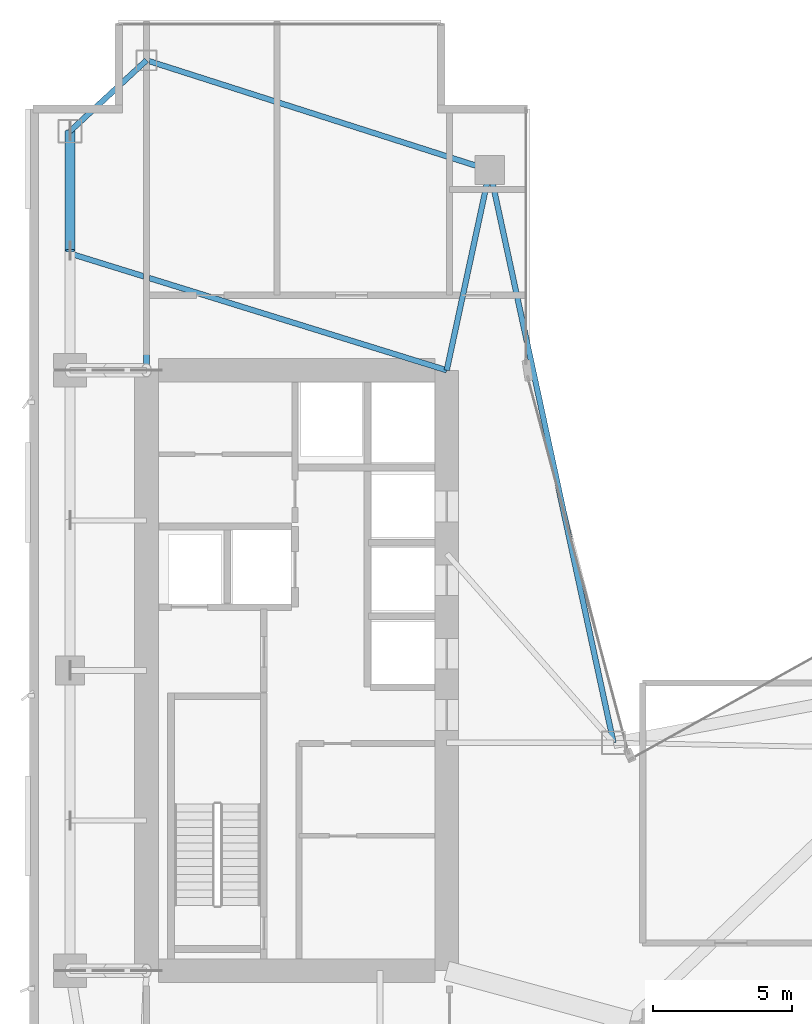
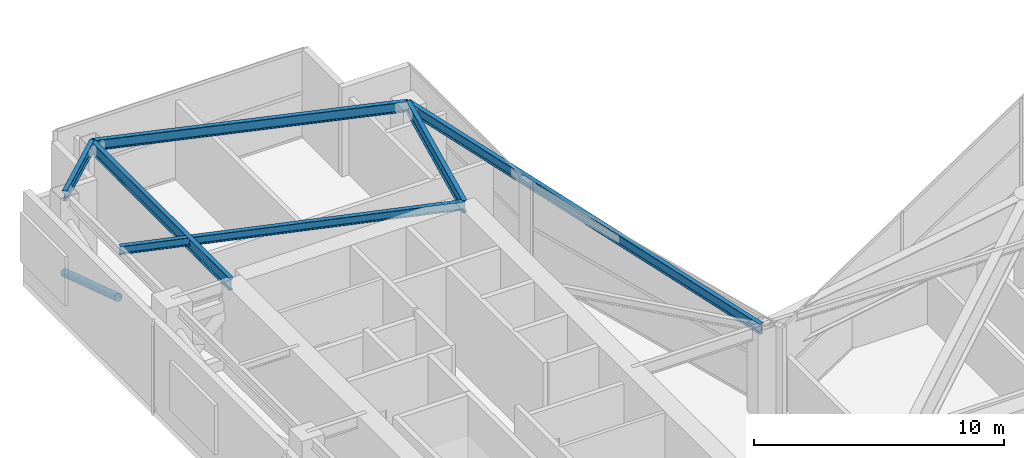
# One storey, part 5 of 17: 6 beams, 1 member.
"""IFC4 building model written with IfcOpenShell, lengths in metres."""

from ifc_helpers import new_model, si_unit, direction, frame, origin, origin_2d, place, context, subcontext, project, spatial, hollow_circle, i_section, extrude, material, material_profile, profile_set, type_object, element, save


model = new_model("IFC4")

# Units and contexts
model_context = context("Model", 3, precision=1e-05, world=origin(), true_north=direction((0.0, 1.0)))
body_context = subcontext(model_context, "Body", "Model", "MODEL_VIEW")
ifc_project = project(units=[si_unit("LENGTHUNIT", "METRE"), si_unit("AREAUNIT", "SQUARE_METRE"), si_unit("VOLUMEUNIT", "CUBIC_METRE"), si_unit("PLANEANGLEUNIT", "RADIAN"), si_unit("MASSUNIT", "GRAM", prefix="KILO")], contexts=[model_context])

# Site, building, storey
site_placement = place(None, origin())
site = spatial("IfcSite", under=ifc_project, at=site_placement, CompositionType="ELEMENT")
building_placement = place(site_placement, origin())
building = spatial("IfcBuilding", under=site, at=building_placement, Name="Calvorn Quay Hotel", CompositionType="ELEMENT")
storey_placement = place(building_placement, frame((0.0, 0.0, 186.5)))
storey = spatial("IfcBuildingStorey", under=building, at=storey_placement, Name="L46", CompositionType="ELEMENT", Elevation=186.5)

# Beams
ifc_material_1 = material(Name="Steel Q355B", Category="steel")
ifc_material_profile_1 = material_profile(ifc_material_1, i_section(OverallWidth=0.199951171875, OverallDepth=0.60009765625, WebThickness=0.010986328125, FlangeThickness=0.01708984375, FilletRadius=0.01806640625, at=origin_2d()), Name="HN600x200x11x17")
ifc_profile_set_1 = profile_set([ifc_material_profile_1], Name="Steel Q355B")
beam_type_1 = type_object("IfcBeamType", Name="BM-GIRD-TYP", PredefinedType="BEAM", material=ifc_profile_set_1)
beam_1_placement = place(storey_placement, frame((4.199951171875, 49.550048828125, 4.050048828125), z_axis=(0.0, -1.0, 0.0), x_axis=(1.0, 0.0, 0.0)))
element("IfcBeam", 1, at=beam_1_placement, inside=storey, type_object=beam_type_1, Name="Beam BG-L46-W5", PredefinedType="BEAM", context=body_context, shape_type="SweptSolid", body=[
    extrude(i_section(OverallWidth=0.199951171875, OverallDepth=0.60009765625, WebThickness=0.010986328125, FlangeThickness=0.01708984375, FilletRadius=0.01806640625, at=origin_2d()), origin(), (0.0, 0.0, 1.0), 11.150146484375),
])
beam_2_placement = place(storey_placement, frame((16.550048828125, 45.60009765625, 4.050048828125), z_axis=(-0.210457140491, -0.97760308511, 0.0), x_axis=(0.97760308511, -0.210457140491, 0.0)))
element("IfcBeam", 2, at=beam_2_placement, inside=storey, type_object=beam_type_1, Name="Beam BG-L46-W6", PredefinedType="BEAM", context=body_context, shape_type="SweptSolid", body=[
    extrude(i_section(OverallWidth=0.199951171875, OverallDepth=0.60009765625, WebThickness=0.010986328125, FlangeThickness=0.01708984375, FilletRadius=0.01806640625, at=origin_2d()), origin(), (0.0, 0.0, 1.0), 7.365234375),
])
ifc_material_2 = material(Name="Steel Q355B", Category="steel")
ifc_material_profile_2 = material_profile(ifc_material_2, i_section(OverallWidth=0.199951171875, OverallDepth=0.39990234375, WebThickness=0.008056640625, FlangeThickness=0.012939453125, FilletRadius=0.01611328125, at=origin_2d()), Name="HN400x200x8x13")
ifc_profile_set_2 = profile_set([ifc_material_profile_2], Name="Steel Q355B")
beam_type_2 = type_object("IfcBeamType", Name="BM-JOIST-TYP", PredefinedType="JOIST", material=ifc_profile_set_2)
beam_3_placement = place(storey_placement, frame((1.449951171875, 42.60009765625, 4.14990234375), z_axis=(0.955163702122, -0.296078202759, 0.0), x_axis=(0.296078202759, 0.955163702122, 0.0)))
element("IfcBeam", 3, at=beam_3_placement, inside=storey, type_object=beam_type_2, Name="Beam BJ-L46-W2", PredefinedType="JOIST", context=body_context, shape_type="SweptSolid", body=[
    extrude(i_section(OverallWidth=0.199951171875, OverallDepth=0.39990234375, WebThickness=0.008056640625, FlangeThickness=0.012939453125, FilletRadius=0.01611328125, at=origin_2d()), origin(), (0.0, 0.0, 1.0), 14.18603515625),
])
ifc_material_3 = material(Name="Steel Q355B", Category="steel")
ifc_material_profile_3 = material_profile(ifc_material_3, i_section(OverallWidth=0.199951171875, OverallDepth=0.5, WebThickness=0.010009765625, FlangeThickness=0.01611328125, FilletRadius=0.01611328125, at=origin_2d()), Name="HN500x200x10x16")
ifc_profile_set_3 = profile_set([ifc_material_profile_3], Name="Steel Q355B")
beam_type_3 = type_object("IfcBeamType", Name="BM-SPANDREL-Z1", PredefinedType="SPANDREL", material=ifc_profile_set_3)
beam_4_placement = place(storey_placement, frame((1.449951171875, 47.0, 4.10009765625), z_axis=(0.733261665538, 0.679946563969, 0.0), x_axis=(-0.679946563969, 0.733261665538, 0.0)))
element("IfcBeam", 4, at=beam_4_placement, inside=storey, type_object=beam_type_3, Name="Beam BSP-L46-W5", PredefinedType="SPANDREL", context=body_context, shape_type="SweptSolid", body=[
    extrude(i_section(OverallWidth=0.199951171875, OverallDepth=0.5, WebThickness=0.010009765625, FlangeThickness=0.01611328125, FilletRadius=0.01611328125, at=origin_2d()), origin(), (0.0, 0.0, 1.0), 3.75048828125),
])
beam_5_placement = place(storey_placement, frame((4.199951171875, 49.550048828125, 4.10009765625), z_axis=(0.952470702374, -0.304630203885, 0.0), x_axis=(0.304630203885, 0.952470702374, 0.0)))
element("IfcBeam", 5, at=beam_5_placement, inside=storey, type_object=beam_type_3, Name="Beam BSP-L46-W6", PredefinedType="SPANDREL", context=body_context, shape_type="SweptSolid", body=[
    extrude(i_section(OverallWidth=0.199951171875, OverallDepth=0.5, WebThickness=0.010009765625, FlangeThickness=0.01611328125, FilletRadius=0.01611328125, at=origin_2d()), origin(), (0.0, 0.0, 1.0), 12.96630859375),
])
beam_6_placement = place(storey_placement, frame((16.550048828125, 45.60009765625, 4.10009765625), z_axis=(0.211145848376, -0.977454567084, 0.0), x_axis=(0.977454567084, 0.211145848376, 0.0)))
element("IfcBeam", 6, at=beam_6_placement, inside=storey, type_object=beam_type_3, Name="Beam BSP-L46-W7", PredefinedType="SPANDREL", context=body_context, shape_type="SweptSolid", body=[
    extrude(i_section(OverallWidth=0.199951171875, OverallDepth=0.5, WebThickness=0.010009765625, FlangeThickness=0.01611328125, FilletRadius=0.01611328125, at=origin_2d()), origin(), (0.0, 0.0, 1.0), 21.0751953125),
])

# Member
ifc_material_4 = material(Name="Steel Q390GJC", Category="steel")
ifc_material_profile_4 = material_profile(ifc_material_4, hollow_circle(Radius=0.177978515625, WallThickness=0.013916015625, at=origin_2d()), Name="CHS356x14")
ifc_profile_set_4 = profile_set([ifc_material_profile_4], Name="Steel Q390GJC")
member_type = type_object("IfcMemberType", Name="MEM-BELT-DIAG", PredefinedType="BRACE", material=ifc_profile_set_4)
member_placement = place(storey_placement, frame((1.449951171875, 42.699951171875, 1.75), z_axis=(0.0, 0.950878823124, -0.309563343655), x_axis=(-1.0, 0.0, 0.0)))
element("IfcMember", 7, at=member_placement, inside=storey, type_object=member_type, Name="Belt Truss Split Brace B2 L46-BW4", PredefinedType="BRACE", context=body_context, shape_type="SweptSolid", body=[
    extrude(hollow_circle(Radius=0.177978515625, WallThickness=0.013916015625, at=origin_2d()), origin(), (0.0, 0.0, 1.0), 4.522216796875),
])

save(model, "model.ifc")
